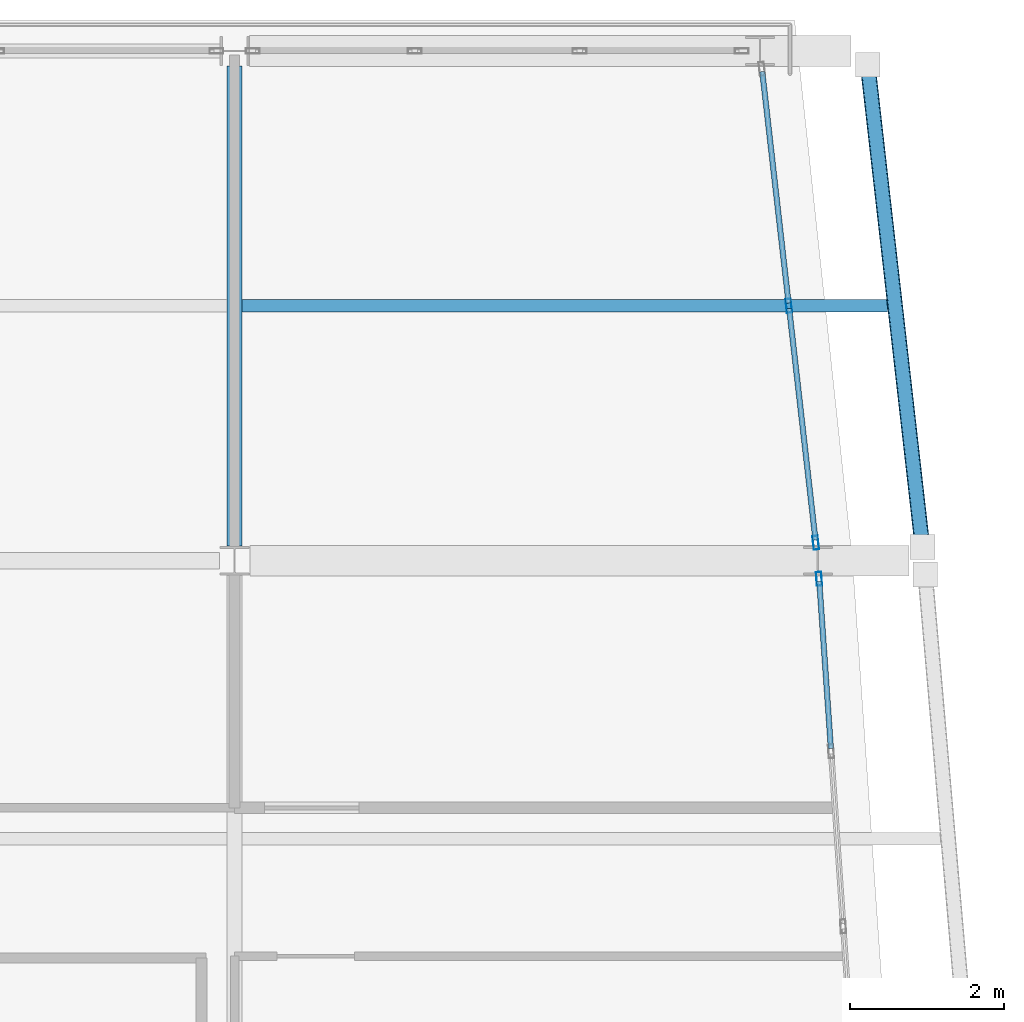
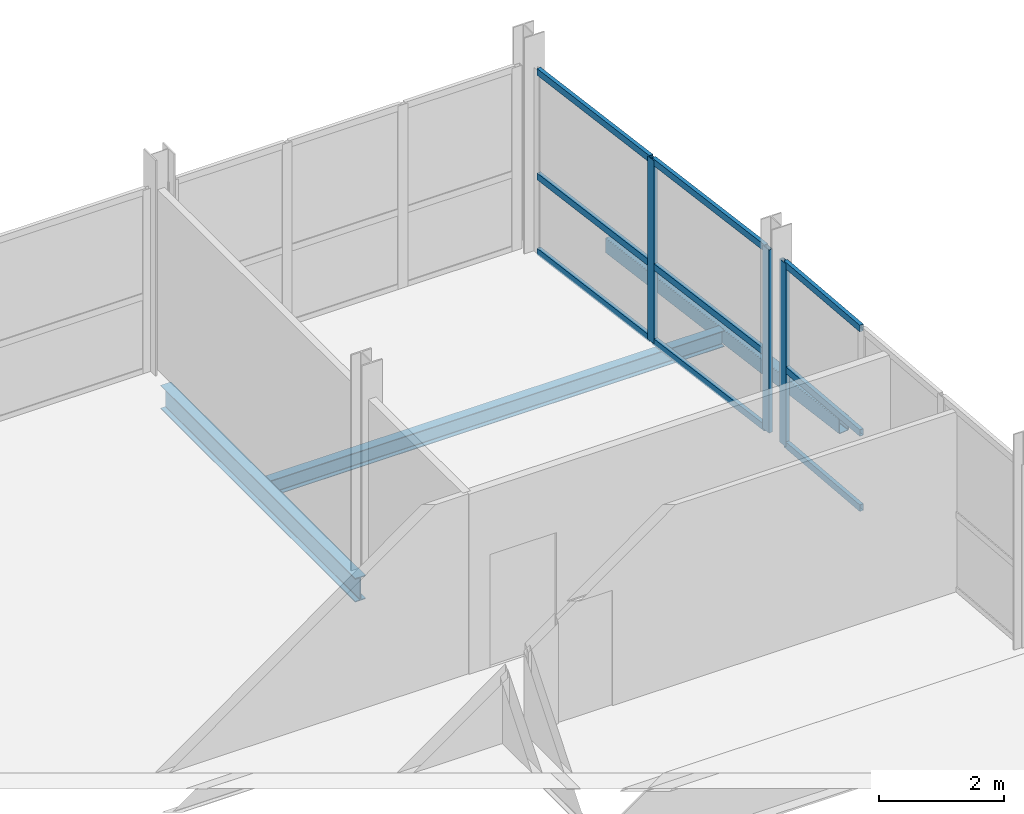
# One storey, part 10 of 23: 12 members, 3 beams, 2 elements without a shape of their own.
"""IFC4 building model written with IfcOpenShell, lengths in metres."""

from ifc_helpers import new_model, si_unit, direction, frame, origin, origin_2d, place, context, subcontext, project, spatial, hollow_rectangle, i_section, extrude, material, layer, layer_set, material_profile, profile_set, type_object, element, aggregate, save


model = new_model("IFC4")

# Units and contexts
model_context = context("Model", 3, precision=1e-05, world=origin(), true_north=direction((0.0, 1.0)))
body_context = subcontext(model_context, "Body", "Model", "MODEL_VIEW")
ifc_project = project(units=[si_unit("LENGTHUNIT", "METRE"), si_unit("AREAUNIT", "SQUARE_METRE"), si_unit("VOLUMEUNIT", "CUBIC_METRE"), si_unit("PLANEANGLEUNIT", "RADIAN"), si_unit("MASSUNIT", "GRAM", prefix="KILO")], contexts=[model_context])

# Site, building, storey
site_placement = place(None, origin())
site = spatial("IfcSite", under=ifc_project, at=site_placement, CompositionType="ELEMENT")
building_placement = place(site_placement, origin())
building = spatial("IfcBuilding", under=site, at=building_placement, Name="Quillay Park Conservatory", CompositionType="ELEMENT")
storey_placement = place(building_placement, frame((0.0, 0.0, 22.5)))
storey = spatial("IfcBuildingStorey", under=building, at=storey_placement, Name="L05", CompositionType="ELEMENT", Elevation=22.5)

# Beam
ifc_material_1 = material(Name="Steel ASTM A992 Grade 50", Category="steel")
ifc_material_profile_1 = material_profile(ifc_material_1, i_section(OverallWidth=0.166015625, OverallDepth=0.31298828125, WebThickness=0.006591796875, FlangeThickness=0.01123046875, FilletRadius=0.010009765625, at=origin_2d()), Name="W310x45")
ifc_profile_set_1 = profile_set([ifc_material_profile_1], Name="Steel ASTM A992 Grade 50")
beam_type_1 = type_object("IfcBeamType", Name="COMPOSITE FLOOR JOIST W310 X45", PredefinedType="JOIST", material=ifc_profile_set_1)
beam_1_placement = place(storey_placement, frame((19.845947265625, 110.10009765625, -0.3564453125), z_axis=(1.0, 0.0, 0.0), x_axis=(0.0, 1.0, 0.0)))
element("IfcBeam", 1, at=beam_1_placement, inside=storey, type_object=beam_type_1, Name="L05 beam BM-J-0446", PredefinedType="JOIST", context=body_context, shape_type="SweptSolid", body=[
    extrude(i_section(OverallWidth=0.166015625, OverallDepth=0.31298828125, WebThickness=0.006591796875, FlangeThickness=0.01123046875, FilletRadius=0.010009765625, at=origin_2d()), origin(), (0.0, 0.0, 1.0), 8.35400390625),
])

# Curtain wall, member
ifc_material_2 = material(Name="Thermally Broken Anodised Aluminium 6063-T6", Category="aluminium")
ifc_layer = layer(ifc_material_2, 0.179931640625)
ifc_layer_set = layer_set([ifc_layer], Name="UNITISED CURTAIN WALL TOWER (Thermally Broken Anodised Aluminium 6063-T6)")
curtain_wall_type = type_object("IfcCurtainWallType", Name="UNITISED CURTAIN WALL TOWER", PredefinedType="USERDEFINED", material=ifc_layer_set)
curtain_wall_1_placement = place(storey_placement, origin())
curtain_wall_1 = element("IfcCurtainWall", 2, at=curtain_wall_1_placement, inside=storey, type_object=curtain_wall_type, Name="L05 Unitised Curtain Wall 053", ObjectType="UNITISED CURTAIN WALL", PredefinedType="USERDEFINED")
ifc_material_3 = material(Name="Thermally Broken Anodised Aluminium 6063-T6", Category="aluminium")
ifc_material_profile_2 = material_profile(ifc_material_3, hollow_rectangle(XDim=0.070068359375, YDim=0.179931640625, WallThickness=0.00390625, at=origin_2d()), Name="AL70x180x4")
ifc_profile_set_2 = profile_set([ifc_material_profile_2], Name="Thermally Broken Anodised Aluminium 6063-T6")
member_type_1 = type_object("IfcMemberType", Name="CURTAIN WALL MULLION 70 X180", PredefinedType="MULLION", material=ifc_profile_set_2)
member_1_placement = place(storey_placement, frame((27.31640625, 106.565673828125, 0.0), z_axis=(0.0, 0.0, 1.0), x_axis=(0.99759835015, 0.069264217159, 0.0)))
member_1 = element("IfcMember", 3, at=member_1_placement, type_object=member_type_1, Name="CW-T1 mullion 1", PredefinedType="MULLION", context=body_context, shape_type="SweptSolid", body=[
    extrude(hollow_rectangle(XDim=0.070068359375, YDim=0.179931640625, WallThickness=0.00390625, at=origin_2d()), origin(), (0.0, 0.0, 1.0), 3.569091796875),
])

# Curtain wall, members
curtain_wall_2_placement = place(storey_placement, origin())
curtain_wall_2 = element("IfcCurtainWall", 4, at=curtain_wall_2_placement, inside=storey, type_object=curtain_wall_type, Name="L05 Unitised Curtain Wall 054", ObjectType="UNITISED CURTAIN WALL", PredefinedType="USERDEFINED")
member_2_placement = place(storey_placement, frame((26.925048828125, 110.10009765625, 0.0), z_axis=(0.0, 0.0, 1.0), x_axis=(0.993605989969, 0.112903218278, 0.0)))
member_2 = element("IfcMember", 5, at=member_2_placement, type_object=member_type_1, Name="CW-T1 mullion 2", PredefinedType="MULLION", context=body_context, shape_type="SweptSolid", body=[
    extrude(hollow_rectangle(XDim=0.070068359375, YDim=0.179931640625, WallThickness=0.00390625, at=origin_2d()), origin(), (0.0, 0.0, 1.0), 3.569091796875),
])
member_3_placement = place(storey_placement, frame((27.2734375, 107.033447265625, 0.0), z_axis=(0.0, 0.0, 1.0), x_axis=(0.993605989969, 0.112903218278, 0.0)))
member_3 = element("IfcMember", 6, at=member_3_placement, type_object=member_type_1, Name="CW-T1 mullion 3", PredefinedType="MULLION", context=body_context, shape_type="SweptSolid", body=[
    extrude(hollow_rectangle(XDim=0.070068359375, YDim=0.179931640625, WallThickness=0.00390625, at=origin_2d()), origin(), (0.0, 0.0, 1.0), 3.569091796875),
])

# Member
ifc_material_4 = material(Name="Thermally Broken Anodised Aluminium 6063-T6", Category="aluminium")
ifc_material_profile_3 = material_profile(ifc_material_4, hollow_rectangle(XDim=0.070068359375, YDim=0.1298828125, WallThickness=0.003173828125, at=origin_2d()), Name="AL70x130x3.2")
ifc_profile_set_3 = profile_set([ifc_material_profile_3], Name="Thermally Broken Anodised Aluminium 6063-T6")
member_type_2 = type_object("IfcMemberType", Name="CURTAIN WALL TRANSOM 70 X130", PredefinedType="USERDEFINED", material=ifc_profile_set_3)
member_4_placement = place(storey_placement, frame((27.31884765625, 106.53076171875, 0.034912109375), z_axis=(0.069269814421, -0.997597961511, 0.0), x_axis=(0.997597961511, 0.069269814421, 0.0)))
member_4 = element("IfcMember", 7, at=member_4_placement, type_object=member_type_2, Name="CW-T1 transom 1.1", ObjectType="TRANSOM", PredefinedType="USERDEFINED", context=body_context, shape_type="SweptSolid", body=[
    extrude(hollow_rectangle(XDim=0.070068359375, YDim=0.1298828125, WallThickness=0.003173828125, at=origin_2d()), origin(), (0.0, 0.0, 1.0), 2.16748046875),
])

member_5_placement = place(storey_placement, frame((27.31884765625, 106.53076171875, 1.4990234375), z_axis=(0.069269814421, -0.997597961511, 0.0), x_axis=(0.997597961511, 0.069269814421, 0.0)))
member_5 = element("IfcMember", 8, at=member_5_placement, type_object=member_type_2, Name="CW-T1 transom 1.2", ObjectType="TRANSOM", PredefinedType="USERDEFINED", context=body_context, shape_type="SweptSolid", body=[
    extrude(hollow_rectangle(XDim=0.070068359375, YDim=0.1298828125, WallThickness=0.003173828125, at=origin_2d()), origin(), (0.0, 0.0, 1.0), 2.16748046875),
])

member_6_placement = place(storey_placement, frame((27.31884765625, 106.53076171875, 3.533935546875), z_axis=(0.069269814421, -0.997597961511, 0.0), x_axis=(0.997597961511, 0.069269814421, 0.0)))
member_6 = element("IfcMember", 9, at=member_6_placement, type_object=member_type_2, Name="CW-T1 transom 1.3", ObjectType="TRANSOM", PredefinedType="USERDEFINED", context=body_context, shape_type="SweptSolid", body=[
    extrude(hollow_rectangle(XDim=0.070068359375, YDim=0.1298828125, WallThickness=0.003173828125, at=origin_2d()), origin(), (0.0, 0.0, 1.0), 2.16748046875),
])

aggregate(curtain_wall_1, [member_1, member_4, member_5, member_6])

member_7_placement = place(storey_placement, frame((26.58056640625, 113.1318359375, 0.034912109375), z_axis=(0.112909688044, -0.99360525479, 0.0), x_axis=(0.99360525479, 0.112909688044, 0.0)))
member_7 = element("IfcMember", 10, at=member_7_placement, type_object=member_type_2, Name="CW-T1 transom 1.1", ObjectType="TRANSOM", PredefinedType="USERDEFINED", context=body_context, shape_type="SweptSolid", body=[
    extrude(hollow_rectangle(XDim=0.070068359375, YDim=0.1298828125, WallThickness=0.003173828125, at=origin_2d()), origin(), (0.0, 0.0, 1.0), 3.016357421875),
])

member_8_placement = place(storey_placement, frame((26.58056640625, 113.1318359375, 1.4990234375), z_axis=(0.112909688044, -0.99360525479, 0.0), x_axis=(0.99360525479, 0.112909688044, 0.0)))
member_8 = element("IfcMember", 11, at=member_8_placement, type_object=member_type_2, Name="CW-T1 transom 1.2", ObjectType="TRANSOM", PredefinedType="USERDEFINED", context=body_context, shape_type="SweptSolid", body=[
    extrude(hollow_rectangle(XDim=0.070068359375, YDim=0.1298828125, WallThickness=0.003173828125, at=origin_2d()), origin(), (0.0, 0.0, 1.0), 3.016357421875),
])

member_9_placement = place(storey_placement, frame((26.58056640625, 113.1318359375, 3.533935546875), z_axis=(0.112909688044, -0.99360525479, 0.0), x_axis=(0.99360525479, 0.112909688044, 0.0)))
member_9 = element("IfcMember", 12, at=member_9_placement, type_object=member_type_2, Name="CW-T1 transom 1.3", ObjectType="TRANSOM", PredefinedType="USERDEFINED", context=body_context, shape_type="SweptSolid", body=[
    extrude(hollow_rectangle(XDim=0.070068359375, YDim=0.1298828125, WallThickness=0.003173828125, at=origin_2d()), origin(), (0.0, 0.0, 1.0), 3.016357421875),
])

member_10_placement = place(storey_placement, frame((26.928955078125, 110.065185546875, 0.034912109375), z_axis=(0.112918769109, -0.993604222808, 0.0), x_axis=(0.993604222808, 0.112918769109, 0.0)))
member_10 = element("IfcMember", 13, at=member_10_placement, type_object=member_type_2, Name="CW-T1 transom 2.1", ObjectType="TRANSOM", PredefinedType="USERDEFINED", context=body_context, shape_type="SweptSolid", body=[
    extrude(hollow_rectangle(XDim=0.070068359375, YDim=0.1298828125, WallThickness=0.003173828125, at=origin_2d()), origin(), (0.0, 0.0, 1.0), 3.01611328125),
])

member_11_placement = place(storey_placement, frame((26.928955078125, 110.065185546875, 1.4990234375), z_axis=(0.112918769109, -0.993604222808, 0.0), x_axis=(0.993604222808, 0.112918769109, 0.0)))
member_11 = element("IfcMember", 14, at=member_11_placement, type_object=member_type_2, Name="CW-T1 transom 2.2", ObjectType="TRANSOM", PredefinedType="USERDEFINED", context=body_context, shape_type="SweptSolid", body=[
    extrude(hollow_rectangle(XDim=0.070068359375, YDim=0.1298828125, WallThickness=0.003173828125, at=origin_2d()), origin(), (0.0, 0.0, 1.0), 3.01611328125),
])

member_12_placement = place(storey_placement, frame((26.928955078125, 110.065185546875, 3.533935546875), z_axis=(0.112918769109, -0.993604222808, 0.0), x_axis=(0.993604222808, 0.112918769109, 0.0)))
member_12 = element("IfcMember", 15, at=member_12_placement, type_object=member_type_2, Name="CW-T1 transom 2.3", ObjectType="TRANSOM", PredefinedType="USERDEFINED", context=body_context, shape_type="SweptSolid", body=[
    extrude(hollow_rectangle(XDim=0.070068359375, YDim=0.1298828125, WallThickness=0.003173828125, at=origin_2d()), origin(), (0.0, 0.0, 1.0), 3.01611328125),
])

aggregate(curtain_wall_2, [member_2, member_3, member_7, member_8, member_9, member_10, member_11, member_12])

# Beams
ifc_material_5 = material(Name="Steel S355J2H", Category="steel")
ifc_material_profile_4 = material_profile(ifc_material_5, hollow_rectangle(XDim=0.199951171875, YDim=0.300048828125, WallThickness=0.012451171875, InnerFilletRadius=0.012451171875, OuterFilletRadius=0.02490234375, at=origin_2d()), Name="RHS300x200x12.5")
ifc_profile_set_4 = profile_set([ifc_material_profile_4], Name="Steel S355J2H")
beam_type_2 = type_object("IfcBeamType", Name="PERIMETER SPANDREL BEAM RHS300", PredefinedType="SPANDREL", material=ifc_profile_set_4)
beam_2_placement = place(storey_placement, frame((28.653564453125, 106.98876953125, -0.35009765625), z_axis=(-0.112900066082, 0.993606348147, 0.0), x_axis=(-0.993606348147, -0.112900066082, 0.0)))
element("IfcBeam", 16, at=beam_2_placement, inside=storey, type_object=beam_type_2, Name="L05 beam BM-SPE-0442", PredefinedType="SPANDREL", context=body_context, shape_type="SweptSolid", body=[
    extrude(hollow_rectangle(XDim=0.199951171875, YDim=0.300048828125, WallThickness=0.012451171875, InnerFilletRadius=0.012451171875, OuterFilletRadius=0.02490234375, at=origin_2d()), origin(), (0.0, 0.0, 1.0), 6.262451171875),
])
ifc_material_6 = material(Name="Steel ASTM A992 Grade 50", Category="steel")
ifc_material_profile_5 = material_profile(ifc_material_6, i_section(OverallWidth=0.19189453125, OverallDepth=0.462890625, WebThickness=0.010498046875, FlangeThickness=0.017578125, FilletRadius=0.012939453125, at=origin_2d()), Name="W460x89")
ifc_profile_set_5 = profile_set([ifc_material_profile_5], Name="Steel ASTM A992 Grade 50")
beam_type_3 = type_object("IfcBeamType", Name="PRIMARY FLOOR GIRDER W460 X89", PredefinedType="BEAM", material=ifc_profile_set_5)
beam_3_placement = place(storey_placement, frame((19.75, 106.989990234375, -0.431396484375), z_axis=(0.0, 1.0, 0.0), x_axis=(-1.0, 0.0, 0.0)))
element("IfcBeam", 17, at=beam_3_placement, inside=storey, type_object=beam_type_3, Name="L05 beam BM-GNS-0444", PredefinedType="BEAM", context=body_context, shape_type="SweptSolid", body=[
    extrude(i_section(OverallWidth=0.19189453125, OverallDepth=0.462890625, WebThickness=0.010498046875, FlangeThickness=0.017578125, FilletRadius=0.012939453125, at=origin_2d()), origin(), (0.0, 0.0, 1.0), 6.21240234375),
])

save(model, "model.ifc")
